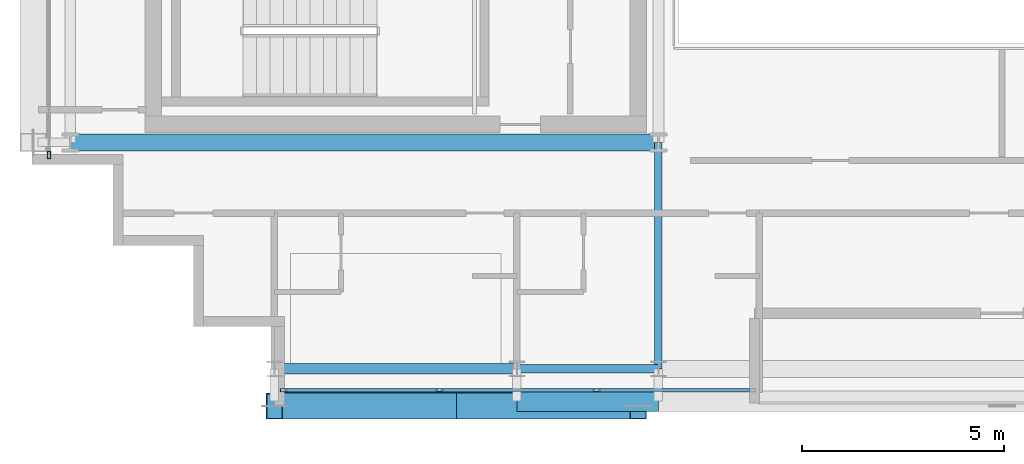
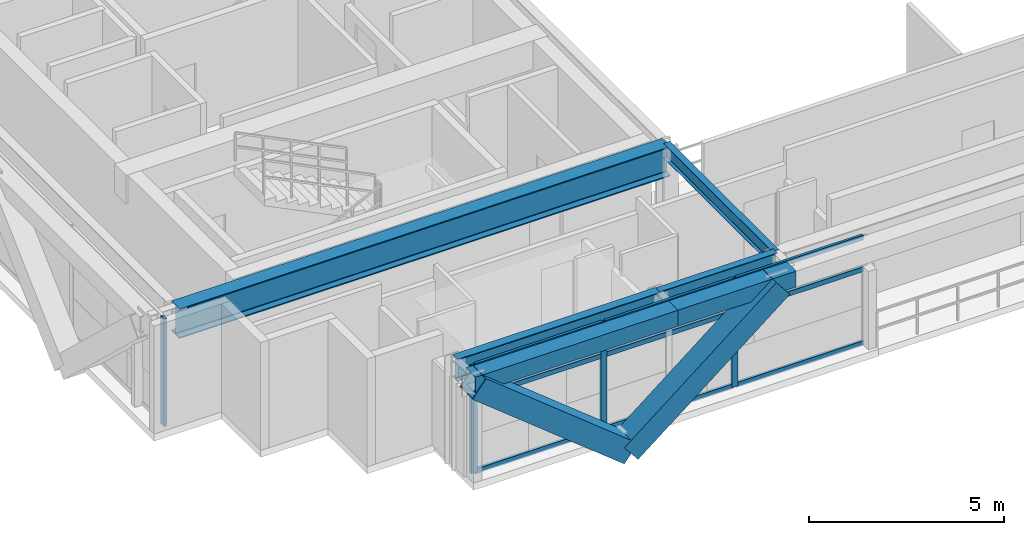
# One storey, part 2 of 28: 15 members, 6 beams, 2 elements without a shape of their own.
"""IFC4 building model written with IfcOpenShell, lengths in metres."""

from ifc_helpers import new_model, si_unit, direction, frame, origin, origin_2d, place, context, subcontext, project, spatial, hollow_rectangle, i_section, extrude, source, transform, mapped, material, layer, layer_set, material_profile, profile_set, type_object, element, aggregate, save


model = new_model("IFC4")

# Units and contexts
model_context = context("Model", 3, precision=1e-05, world=origin(), true_north=direction((0.0, 1.0)))
body_context = subcontext(model_context, "Body", "Model", "MODEL_VIEW")
ifc_project = project(units=[si_unit("LENGTHUNIT", "METRE"), si_unit("AREAUNIT", "SQUARE_METRE"), si_unit("VOLUMEUNIT", "CUBIC_METRE"), si_unit("PLANEANGLEUNIT", "RADIAN"), si_unit("MASSUNIT", "GRAM", prefix="KILO")], contexts=[model_context])

# Site, building, storey
site_placement = place(None, origin())
site = spatial("IfcSite", under=ifc_project, at=site_placement, CompositionType="ELEMENT")
building_placement = place(site_placement, origin())
building = spatial("IfcBuilding", under=site, at=building_placement, Name="Ocotamira Hotel", CompositionType="ELEMENT")
storey_placement = place(building_placement, frame((0.0, 0.0, 240.0)))
storey = spatial("IfcBuildingStorey", under=building, at=storey_placement, Name="L60", CompositionType="ELEMENT", Elevation=240.0)

# Beams
ifc_material_1 = material(Name="Steel ASTM A992 Grade 50", Category="steel")
ifc_material_profile_1 = material_profile(ifc_material_1, i_section(OverallWidth=0.41796875, OverallDepth=0.927001953125, WebThickness=0.019287109375, FlangeThickness=0.031982421875, FilletRadius=0.02392578125, at=origin_2d()), Name="W36X231")
ifc_profile_set_1 = profile_set([ifc_material_profile_1], Name="Steel ASTM A992 Grade 50")
beam_type_1 = type_object("IfcBeamType", Name="BM-GIRD-W36X231", PredefinedType="BEAM", material=ifc_profile_set_1)
shared_shape_1 = source(origin(), body_context, "Body", "SweptSolid", [
    extrude(i_section(OverallWidth=0.41796875, OverallDepth=0.927001953125, WebThickness=0.019287109375, FlangeThickness=0.031982421875, FilletRadius=0.02392578125, at=origin_2d()), origin(), (0.0, 0.0, 1.0), 14.550048828125),
])
beam_1_placement = place(storey_placement, frame((8.949951171875, 14.550048828125, 2.91650390625), z_axis=(1.0, 0.0, 0.0), x_axis=(0.0, 1.0, 0.0)))
element("IfcBeam", 1, at=beam_1_placement, inside=storey, type_object=beam_type_1, Name="L60 Girder Y14.55 X8.95-23.5", PredefinedType="BEAM", context=body_context, shape_type="MappedRepresentation", body=[
    mapped(shared_shape_1, transform((0.0, 0.0, 0.0), scale=1.0)),
])
ifc_material_profile_2 = material_profile(ifc_material_1, i_section(OverallWidth=0.256103515625, OverallDepth=0.693115234375, WebThickness=0.014404296875, FlangeThickness=0.023681640625, FilletRadius=0.01611328125, at=origin_2d()), Name="W27X114")
ifc_profile_set_2 = profile_set([ifc_material_profile_2], Name="Steel ASTM A992 Grade 50")
beam_type_2 = type_object("IfcBeamType", Name="BM-PRIM-W27X114", PredefinedType="BEAM", material=ifc_profile_set_2)
shared_shape_2 = source(origin(), body_context, "Body", "SweptSolid", [
    extrude(i_section(OverallWidth=0.256103515625, OverallDepth=0.693115234375, WebThickness=0.014404296875, FlangeThickness=0.023681640625, FilletRadius=0.01611328125, at=origin_2d()), origin(), (0.0, 0.0, 1.0), 6.0),
])
beam_2_placement = place(storey_placement, frame((14.0, 8.949951171875, 3.033447265625), z_axis=(1.0, 0.0, 0.0), x_axis=(0.0, 1.0, 0.0)))
element("IfcBeam", 2, at=beam_2_placement, inside=storey, type_object=beam_type_2, Name="L60 Girder Y8.95 X14-20", PredefinedType="BEAM", context=body_context, shape_type="MappedRepresentation", body=[
    mapped(shared_shape_2, transform((0.0, 0.0, 0.0), scale=1.0)),
])
ifc_material_profile_3 = material_profile(ifc_material_1, i_section(OverallWidth=0.2099609375, OverallDepth=0.537109375, WebThickness=0.010986328125, FlangeThickness=0.017333984375, FilletRadius=0.012939453125, at=origin_2d()), Name="W21X68")
ifc_profile_set_3 = profile_set([ifc_material_profile_3], Name="Steel ASTM A992 Grade 50")
beam_type_3 = type_object("IfcBeamType", Name="BM-SEC-W21X68", PredefinedType="JOIST", material=ifc_profile_set_3)
shared_shape_3 = source(origin(), body_context, "Body", "SweptSolid", [
    extrude(i_section(OverallWidth=0.2099609375, OverallDepth=0.537109375, WebThickness=0.010986328125, FlangeThickness=0.017333984375, FilletRadius=0.012939453125, at=origin_2d()), origin(), (0.0, 0.0, 1.0), 3.5),
])
beam_3_placement = place(storey_placement, frame((20.0, 8.949951171875, 3.111572265625), z_axis=(1.0, 0.0, 0.0), x_axis=(0.0, 1.0, 0.0)))
element("IfcBeam", 3, at=beam_3_placement, inside=storey, type_object=beam_type_3, Name="L60 Girder Y8.95 X20-23.5", PredefinedType="JOIST", context=body_context, shape_type="MappedRepresentation", body=[
    mapped(shared_shape_3, transform((0.0, 0.0, 0.0), scale=1.0)),
])
ifc_material_2 = material(Name="Steel ASTM A500 Grade C", Category="steel")
ifc_material_profile_4 = material_profile(ifc_material_2, hollow_rectangle(XDim=0.5, YDim=0.5, WallThickness=0.02001953125, at=origin_2d()), Name="HSS500X500X20")
ifc_profile_set_4 = profile_set([ifc_material_profile_4], Name="Steel ASTM A500 Grade C")
beam_type_4 = type_object("IfcBeamType", Name="BM-SPAN-HSS500", PredefinedType="USERDEFINED", material=ifc_profile_set_4)
shared_shape_4 = source(origin(), body_context, "Body", "SweptSolid", [
    extrude(hollow_rectangle(XDim=0.5, YDim=0.5, WallThickness=0.02001953125, at=origin_2d()), origin(), (0.0, 0.0, 1.0), 6.0),
])
beam_4_placement = place(storey_placement, frame((14.0, 8.14990234375, 3.1298828125), z_axis=(1.0, 0.0, 0.0), x_axis=(0.0, 1.0, 0.0)))
element("IfcBeam", 4, at=beam_4_placement, inside=storey, type_object=beam_type_4, Name="L60 Edge Spandrel S X14-20", ObjectType="SPANDREL", PredefinedType="USERDEFINED", context=body_context, shape_type="MappedRepresentation", body=[
    mapped(shared_shape_4, transform((0.0, 0.0, 0.0), scale=1.0)),
])
shared_shape_5 = source(origin(), body_context, "Body", "SweptSolid", [
    extrude(hollow_rectangle(XDim=0.5, YDim=0.5, WallThickness=0.02001953125, at=origin_2d()), origin(), (0.0, 0.0, 1.0), 3.5),
])
beam_5_placement = place(storey_placement, frame((20.0, 8.14990234375, 3.1298828125), z_axis=(1.0, 0.0, 0.0), x_axis=(0.0, 1.0, 0.0)))
element("IfcBeam", 5, at=beam_5_placement, inside=storey, type_object=beam_type_4, Name="L60 Edge Spandrel S X20-23.5", ObjectType="SPANDREL", PredefinedType="USERDEFINED", context=body_context, shape_type="MappedRepresentation", body=[
    mapped(shared_shape_5, transform((0.0, 0.0, 0.0), scale=1.0)),
])
ifc_material_profile_5 = material_profile(ifc_material_1, i_section(OverallWidth=0.18994140625, OverallDepth=0.45703125, WebThickness=0.009033203125, FlangeThickness=0.014404296875, FilletRadius=0.010009765625, at=origin_2d()), Name="W18X50")
ifc_profile_set_5 = profile_set([ifc_material_profile_5], Name="Steel ASTM A992 Grade 50")
beam_type_5 = type_object("IfcBeamType", Name="BM-SEC-W18X50", PredefinedType="JOIST", material=ifc_profile_set_5)
shared_shape_6 = source(origin(), body_context, "Body", "SweptSolid", [
    extrude(i_section(OverallWidth=0.18994140625, OverallDepth=0.45703125, WebThickness=0.009033203125, FlangeThickness=0.014404296875, FilletRadius=0.010009765625, at=origin_2d()), origin(), (0.0, 0.0, 1.0), 5.60009765625),
])
beam_6_placement = place(storey_placement, frame((23.5, 8.949951171875, 3.151611328125), z_axis=(0.0, 1.0, 0.0), x_axis=(-1.0, 0.0, 0.0)))
element("IfcBeam", 6, at=beam_6_placement, inside=storey, type_object=beam_type_5, Name="L60 Beam X23.5 Y8.95-14.55", PredefinedType="JOIST", context=body_context, shape_type="MappedRepresentation", body=[
    mapped(shared_shape_6, transform((0.0, 0.0, 0.0), scale=1.0)),
])

# Members
ifc_material_3 = material(Name="Pale-metal coated steel ASTM A913 Grade 65", Category="steel")
ifc_material_profile_6 = material_profile(ifc_material_3, hollow_rectangle(XDim=0.64990234375, YDim=0.64990234375, WallThickness=0.02197265625, at=origin_2d()), Name="BOX650X650X22")
ifc_profile_set_6 = profile_set([ifc_material_profile_6], Name="Pale-metal coated steel ASTM A913 Grade 65")
member_type_1 = type_object("IfcMemberType", Name="MEM-EXO-BOX650", PredefinedType="BRACE", material=ifc_profile_set_6)
shared_shape_7 = source(origin(), body_context, "Body", "SweptSolid", [
    extrude(hollow_rectangle(XDim=0.64990234375, YDim=0.64990234375, WallThickness=0.02197265625, at=origin_2d()), origin(), (0.0, 0.0, 1.0), 5.7626953125),
])
for number, where, z_axis, x_axis, name in (
    (7, (18.5, 8.030029296875, -0.469970703125), (-0.780881208953, 0.0, 0.624679547852), (0.0, -1.0, 0.0), "L60 Exoskeleton Diagrid S0.1"),
    (8, (18.5, 8.030029296875, -0.469970703125), (0.780881208953, 0.0, 0.624679547852), (0.0, 1.0, 0.0), "L60 Exoskeleton Diagrid S0.2"),
):
    element("IfcMember", number, at=place(storey_placement, frame(where, z_axis=z_axis, x_axis=x_axis)), inside=storey, type_object=member_type_1, Name=name, PredefinedType="BRACE", context=body_context, shape_type="MappedRepresentation", body=[
        mapped(shared_shape_7, transform((0.0, 0.0, 0.0), scale=1.0)),
    ])

# Curtain wall, members
ifc_material_4 = material(Name="Anodised pale-metal aluminium and solar glass", Category="aluminium")
ifc_layer = layer(ifc_material_4, 0.239990234375)
ifc_layer_set = layer_set([ifc_layer], Name="Anodised pale-metal aluminium and solar glass")
curtain_wall_type = type_object("IfcCurtainWallType", Name="CW-SYS5-SKY", PredefinedType="NOTDEFINED", material=ifc_layer_set)
curtain_wall_1_placement = place(storey_placement, origin())
curtain_wall_1 = element("IfcCurtainWall", 9, at=curtain_wall_1_placement, inside=storey, type_object=curtain_wall_type, Name="L60 Curtain Wall CW-5 CW-L60-S1", PredefinedType="NOTDEFINED")
ifc_material_5 = material(Name="Anodised pale-metal aluminium 6063-T6", Category="aluminium")
ifc_material_profile_7 = material_profile(ifc_material_5, hollow_rectangle(XDim=0.074951171875, YDim=0.14990234375, WallThickness=0.006103515625, at=origin_2d()), Name="HSS150X75X6")
ifc_profile_set_7 = profile_set([ifc_material_profile_7], Name="Anodised pale-metal aluminium 6063-T6")
member_type_2 = type_object("IfcMemberType", Name="CWT-150X75", PredefinedType="USERDEFINED", material=ifc_profile_set_7)
shared_shape_8 = source(origin(), body_context, "Body", "SweptSolid", [
    extrude(hollow_rectangle(XDim=0.074951171875, YDim=0.14990234375, WallThickness=0.006103515625, at=origin_2d()), origin(), (0.0, 0.0, 1.0), 3.76318359375),
])
member_1_placement = place(storey_placement, frame((14.280029296875, 8.419921875, 0.03759765625), z_axis=(1.0, 0.0, 0.0), x_axis=(0.0, 1.0, 0.0)))
member_1 = element("IfcMember", 10, at=member_1_placement, type_object=member_type_2, Name="CW-5 transom 1.1", ObjectType="TRANSOM", PredefinedType="USERDEFINED", context=body_context, shape_type="MappedRepresentation", body=[
    mapped(shared_shape_8, transform((0.0, 0.0, 0.0), scale=1.0)),
])
member_2_placement = place(storey_placement, frame((14.280029296875, 8.419921875, 2.35009765625), z_axis=(1.0, 0.0, 0.0), x_axis=(0.0, 1.0, 0.0)))
member_2 = element("IfcMember", 11, at=member_2_placement, type_object=member_type_2, Name="CW-5 transom 1.2", ObjectType="TRANSOM", PredefinedType="USERDEFINED", context=body_context, shape_type="MappedRepresentation", body=[
    mapped(shared_shape_8, transform((0.0, 0.0, 0.0), scale=1.0)),
])
member_3_placement = place(storey_placement, frame((14.280029296875, 8.419921875, 3.342529296875), z_axis=(1.0, 0.0, 0.0), x_axis=(0.0, 1.0, 0.0)))
member_3 = element("IfcMember", 12, at=member_3_placement, type_object=member_type_2, Name="CW-5 transom 1.3", ObjectType="TRANSOM", PredefinedType="USERDEFINED", context=body_context, shape_type="MappedRepresentation", body=[
    mapped(shared_shape_8, transform((0.0, 0.0, 0.0), scale=1.0)),
])
shared_shape_9 = source(origin(), body_context, "Body", "SweptSolid", [
    extrude(hollow_rectangle(XDim=0.074951171875, YDim=0.14990234375, WallThickness=0.006103515625, at=origin_2d()), origin(), (0.0, 0.0, 1.0), 3.803466796875),
])
member_4_placement = place(storey_placement, frame((18.123291015625, 8.419921875, 0.03759765625), z_axis=(1.0, 0.0, 0.0), x_axis=(0.0, 1.0, 0.0)))
member_4 = element("IfcMember", 13, at=member_4_placement, type_object=member_type_2, Name="CW-5 transom 2.1", ObjectType="TRANSOM", PredefinedType="USERDEFINED", context=body_context, shape_type="MappedRepresentation", body=[
    mapped(shared_shape_9, transform((0.0, 0.0, 0.0), scale=1.0)),
])
member_5_placement = place(storey_placement, frame((18.123291015625, 8.419921875, 2.35009765625), z_axis=(1.0, 0.0, 0.0), x_axis=(0.0, 1.0, 0.0)))
member_5 = element("IfcMember", 14, at=member_5_placement, type_object=member_type_2, Name="CW-5 transom 2.2", ObjectType="TRANSOM", PredefinedType="USERDEFINED", context=body_context, shape_type="MappedRepresentation", body=[
    mapped(shared_shape_9, transform((0.0, 0.0, 0.0), scale=1.0)),
])
member_6_placement = place(storey_placement, frame((18.123291015625, 8.419921875, 3.342529296875), z_axis=(1.0, 0.0, 0.0), x_axis=(0.0, 1.0, 0.0)))
member_6 = element("IfcMember", 15, at=member_6_placement, type_object=member_type_2, Name="CW-5 transom 2.3", ObjectType="TRANSOM", PredefinedType="USERDEFINED", context=body_context, shape_type="MappedRepresentation", body=[
    mapped(shared_shape_9, transform((0.0, 0.0, 0.0), scale=1.0)),
])
shared_shape_10 = source(origin(), body_context, "Body", "SweptSolid", [
    extrude(hollow_rectangle(XDim=0.074951171875, YDim=0.14990234375, WallThickness=0.006103515625, at=origin_2d()), origin(), (0.0, 0.0, 1.0), 3.763427734375),
])
member_7_placement = place(storey_placement, frame((22.006591796875, 8.419921875, 0.03759765625), z_axis=(1.0, 0.0, 0.0), x_axis=(0.0, 1.0, 0.0)))
member_7 = element("IfcMember", 16, at=member_7_placement, type_object=member_type_2, Name="CW-5 transom 3.1", ObjectType="TRANSOM", PredefinedType="USERDEFINED", context=body_context, shape_type="MappedRepresentation", body=[
    mapped(shared_shape_10, transform((0.0, 0.0, 0.0), scale=1.0)),
])
member_8_placement = place(storey_placement, frame((22.006591796875, 8.419921875, 2.35009765625), z_axis=(1.0, 0.0, 0.0), x_axis=(0.0, 1.0, 0.0)))
member_8 = element("IfcMember", 17, at=member_8_placement, type_object=member_type_2, Name="CW-5 transom 3.2", ObjectType="TRANSOM", PredefinedType="USERDEFINED", context=body_context, shape_type="MappedRepresentation", body=[
    mapped(shared_shape_10, transform((0.0, 0.0, 0.0), scale=1.0)),
])
member_9_placement = place(storey_placement, frame((22.006591796875, 8.419921875, 3.342529296875), z_axis=(1.0, 0.0, 0.0), x_axis=(0.0, 1.0, 0.0)))
member_9 = element("IfcMember", 18, at=member_9_placement, type_object=member_type_2, Name="CW-5 transom 3.3", ObjectType="TRANSOM", PredefinedType="USERDEFINED", context=body_context, shape_type="MappedRepresentation", body=[
    mapped(shared_shape_10, transform((0.0, 0.0, 0.0), scale=1.0)),
])
ifc_material_profile_8 = material_profile(ifc_material_5, hollow_rectangle(XDim=0.080078125, YDim=0.179931640625, WallThickness=0.006103515625, at=origin_2d()), Name="HSS180X80X6")
ifc_profile_set_8 = profile_set([ifc_material_profile_8], Name="Anodised pale-metal aluminium 6063-T6")
member_type_3 = type_object("IfcMemberType", Name="CWM-180X75", PredefinedType="MULLION", material=ifc_profile_set_8)
shared_shape_11 = source(origin(), body_context, "Body", "SweptSolid", [
    extrude(hollow_rectangle(XDim=0.080078125, YDim=0.179931640625, WallThickness=0.006103515625, at=origin_2d()), origin(), (0.0, 0.0, 1.0), 3.3798828125),
])
member_10_placement = place(storey_placement, frame((14.239990234375, 8.419921875, 0.0), z_axis=(0.0, 0.0, 1.0), x_axis=(0.0, 1.0, 0.0)))
member_10 = element("IfcMember", 19, at=member_10_placement, type_object=member_type_3, Name="CW-5 mullion 1", PredefinedType="MULLION", context=body_context, shape_type="MappedRepresentation", body=[
    mapped(shared_shape_11, transform((0.0, 0.0, 0.0), scale=1.0)),
])
member_11_placement = place(storey_placement, frame((18.083251953125, 8.419921875, 0.0), z_axis=(0.0, 0.0, 1.0), x_axis=(0.0, 1.0, 0.0)))
member_11 = element("IfcMember", 20, at=member_11_placement, type_object=member_type_3, Name="CW-5 mullion 2", PredefinedType="MULLION", context=body_context, shape_type="MappedRepresentation", body=[
    mapped(shared_shape_11, transform((0.0, 0.0, 0.0), scale=1.0)),
])
member_12_placement = place(storey_placement, frame((21.966552734375, 8.419921875, 0.0), z_axis=(0.0, 0.0, 1.0), x_axis=(0.0, 1.0, 0.0)))
member_12 = element("IfcMember", 21, at=member_12_placement, type_object=member_type_3, Name="CW-5 mullion 3", PredefinedType="MULLION", context=body_context, shape_type="MappedRepresentation", body=[
    mapped(shared_shape_11, transform((0.0, 0.0, 0.0), scale=1.0)),
])
aggregate(curtain_wall_1, [member_10, member_11, member_12, member_1, member_2, member_3, member_4, member_5, member_6, member_7, member_8, member_9])

# Curtain wall, member
curtain_wall_2_placement = place(storey_placement, origin())
curtain_wall_2 = element("IfcCurtainWall", 22, at=curtain_wall_2_placement, inside=storey, type_object=curtain_wall_type, Name="L60 Curtain Wall CW-5 CW-L60-W", PredefinedType="NOTDEFINED")
member_13_placement = place(storey_placement, frame((8.419921875, 14.239990234375, 0.0), z_axis=(0.0, 0.0, 1.0), x_axis=(-1.0, 0.0, 0.0)))
member_13 = element("IfcMember", 23, at=member_13_placement, type_object=member_type_3, Name="CW-5 mullion 1", PredefinedType="MULLION", context=body_context, shape_type="MappedRepresentation", body=[
    mapped(shared_shape_11, transform((0.0, 0.0, 0.0), scale=1.0)),
])
aggregate(curtain_wall_2, [member_13])

save(model, "model.ifc")
